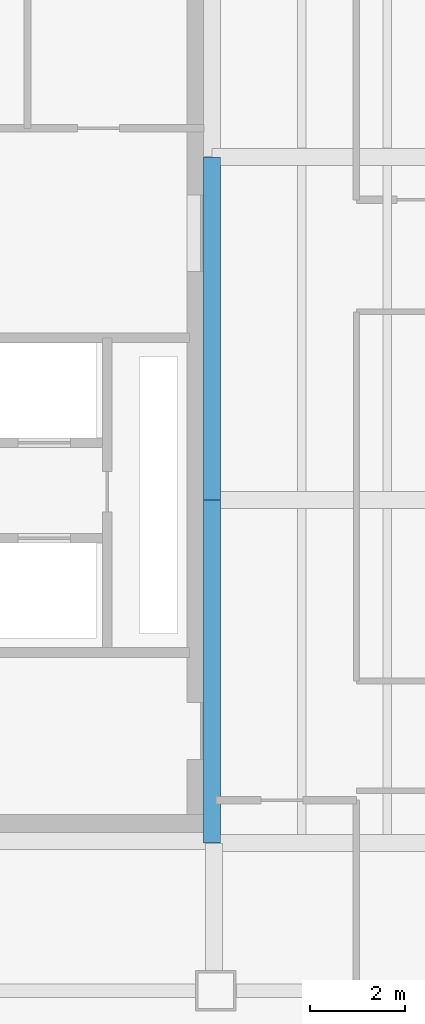
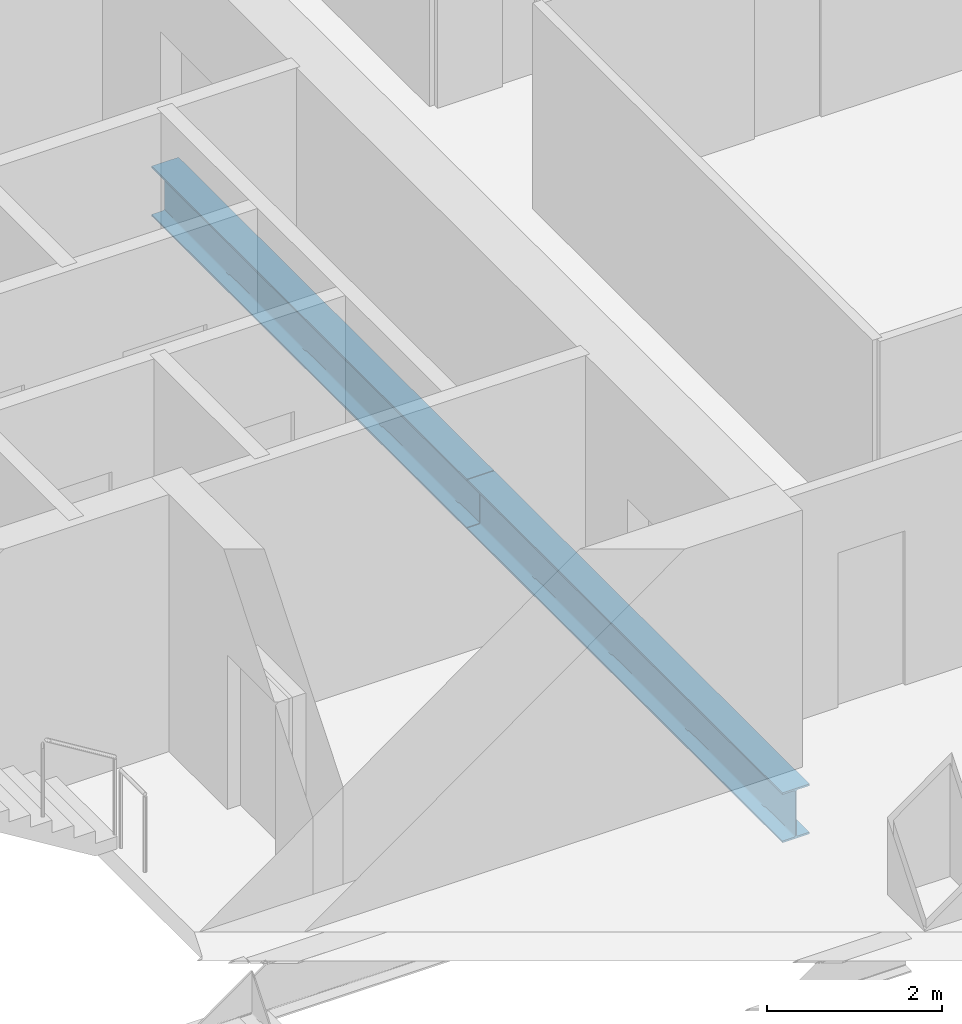
# One storey, part 3 of 24: 2 beams.
"""IFC4 building model written with IfcOpenShell, lengths in metres."""

from ifc_helpers import new_model, si_unit, direction, frame, origin, origin_2d, place, context, subcontext, project, spatial, i_section, extrude, material, material_profile, profile_set, type_object, element, save


model = new_model("IFC4")

# Units and contexts
model_context = context("Model", 3, precision=1e-05, world=origin(), true_north=direction((0.0, 1.0)))
body_context = subcontext(model_context, "Body", "Model", "MODEL_VIEW")
ifc_project = project(units=[si_unit("LENGTHUNIT", "METRE"), si_unit("AREAUNIT", "SQUARE_METRE"), si_unit("VOLUMEUNIT", "CUBIC_METRE"), si_unit("PLANEANGLEUNIT", "RADIAN"), si_unit("MASSUNIT", "GRAM", prefix="KILO")], contexts=[model_context])

# Site, building, storey
site_placement = place(None, origin())
site = spatial("IfcSite", under=ifc_project, at=site_placement, CompositionType="ELEMENT")
building_placement = place(site_placement, origin())
building = spatial("IfcBuilding", under=site, at=building_placement, Name="Cobrela Telecom Tower", CompositionType="ELEMENT")
storey_placement = place(building_placement, frame((0.0, 0.0, 152.25)))
storey = spatial("IfcBuildingStorey", under=building, at=storey_placement, Name="L38", CompositionType="ELEMENT", Elevation=152.25)

# Beams
ifc_material = material(Name="Steel ASTM A992 Grade 50", Category="steel")
ifc_material_profile = material_profile(ifc_material, i_section(OverallWidth=0.35595703125, OverallDepth=0.696044921875, WebThickness=0.015380859375, FlangeThickness=0.024658203125, FilletRadius=0.01806640625, at=origin_2d()), Name="W27X146")
ifc_profile_set = profile_set([ifc_material_profile], Name="Steel ASTM A992 Grade 50")
beam_type = type_object("IfcBeamType", Name="BM-GIRD-05", PredefinedType="USERDEFINED", material=ifc_profile_set)
for number, where, z_axis, x_axis, name in (
    (1, (14.320068359375, 7.205078125, -0.617919921875), (0.0, 1.0, 0.0), (-1.0, 0.0, 0.0), "L38 Primary Girder Y34"),
    (2, (14.320068359375, 14.405029296875, -0.617919921875), (0.0, 1.0, 0.0), (-1.0, 0.0, 0.0), "L38 Primary Girder Y35"),
):
    element("IfcBeam", number, at=place(storey_placement, frame(where, z_axis=z_axis, x_axis=x_axis)), inside=storey, type_object=beam_type, Name=name, ObjectType="GIRDER", PredefinedType="USERDEFINED", context=body_context, shape_type="SweptSolid", body=[
        extrude(i_section(OverallWidth=0.35595703125, OverallDepth=0.696044921875, WebThickness=0.015380859375, FlangeThickness=0.024658203125, FilletRadius=0.01806640625, at=origin_2d()), origin(), (0.0, 0.0, 1.0), 7.18994140625),
    ])

save(model, "model.ifc")
